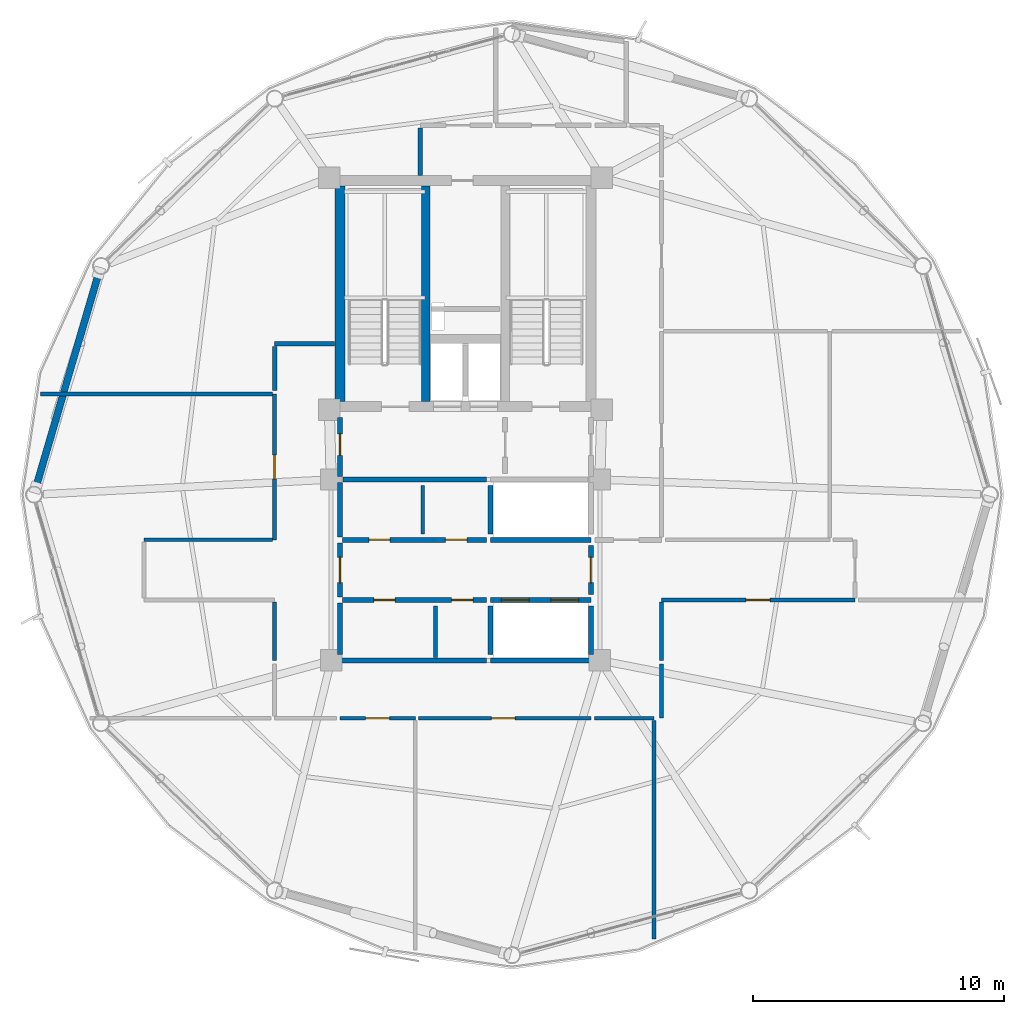
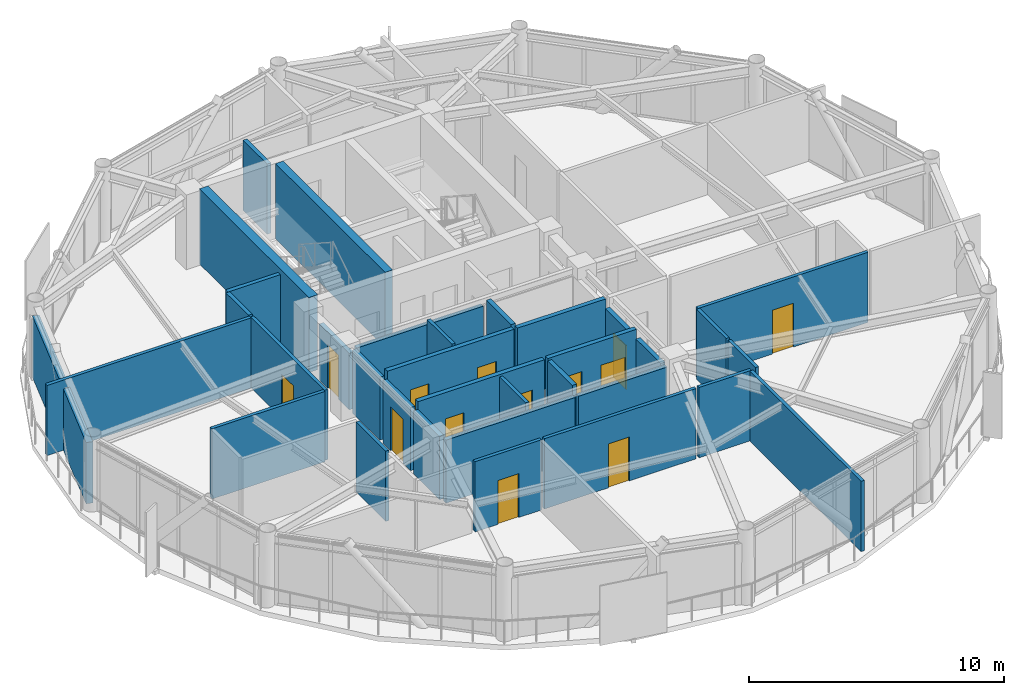
# One storey, part 21 of 26: 34 walls, 13 doors, 13 openings.
"""IFC4 building model written with IfcOpenShell, lengths in metres."""

from ifc_helpers import new_model, si_unit, direction, frame, frame_2d, origin, place, context, subcontext, project, spatial, rectangle, extrude, material, layer, layer_set, type_object, element, fill, save


model = new_model("IFC4")

# Units and contexts
model_context = context("Model", 3, precision=1e-05, world=origin(), true_north=direction((0.0, 1.0)))
body_context = subcontext(model_context, "Body", "Model", "MODEL_VIEW")
ifc_project = project(units=[si_unit("LENGTHUNIT", "METRE"), si_unit("AREAUNIT", "SQUARE_METRE"), si_unit("VOLUMEUNIT", "CUBIC_METRE"), si_unit("PLANEANGLEUNIT", "RADIAN"), si_unit("MASSUNIT", "GRAM", prefix="KILO")], contexts=[model_context])

# Site, building, storey
site_placement = place(None, origin())
site = spatial("IfcSite", under=ifc_project, at=site_placement, CompositionType="ELEMENT")
building_placement = place(site_placement, origin())
building = spatial("IfcBuilding", under=site, at=building_placement, Name="Varnakorn Sky Granary", CompositionType="ELEMENT")
storey_placement = place(building_placement, frame((0.0, 0.0, 218.39990234375)))
storey = spatial("IfcBuildingStorey", under=building, at=storey_placement, Name="L55", CompositionType="ELEMENT", Elevation=218.39990234375)

# Walls
ifc_material_1 = material(Name="Concrete C50/60", Category="concrete")
ifc_layer_1 = layer(ifc_material_1, 0.35009765625, Name="Concrete C50/60")
ifc_layer_set_1 = layer_set([ifc_layer_1], Name="Concrete C50/60")
wall_type_1 = type_object("IfcWallType", Name="WT-CW-INT-350", PredefinedType="SHEAR", material=ifc_layer_set_1)
wall_1_placement = place(storey_placement, frame((1.419921875, 3.7099609375, 0.0), z_axis=(0.0, 0.0, 1.0), x_axis=(0.0, 1.0, 0.0)))
element("IfcWall", 1, at=wall_1_placement, inside=storey, type_object=wall_type_1, Name="Stair ST-1 Core Wall L55", PredefinedType="SHEAR", context=body_context, shape_type="SweptSolid", body=[
    extrude(rectangle(XDim=8.580078125, YDim=0.35009765625, at=frame_2d((4.2900390625, 0.0))), origin(), (0.0, 0.0, 1.0), 3.592041015625),
])
ifc_layer_2 = layer(ifc_material_1, 0.39990234375, Name="Concrete C50/60")
ifc_layer_set_2 = layer_set([ifc_layer_2], Name="Concrete C50/60")
wall_type_2 = type_object("IfcWallType", Name="WT-CW-SHEAR-400", PredefinedType="SHEAR", material=ifc_layer_set_2)
wall_2_placement = place(storey_placement, frame((-2.0, 3.7099609375, 0.0), z_axis=(0.0, 0.0, 1.0), x_axis=(0.0, 1.0, 0.0)))
element("IfcWall", 2, at=wall_2_placement, inside=storey, type_object=wall_type_2, Name="Core West Shear Wall L55", PredefinedType="SHEAR", context=body_context, shape_type="SweptSolid", body=[
    extrude(rectangle(XDim=8.580078125, YDim=0.39990234375, at=frame_2d((4.2900390625, 0.0))), origin(), (0.0, 0.0, 1.0), 3.592041015625),
])
ifc_material_2 = material(Name="Precast concrete C40/50", Category="concrete")
ifc_layer_3 = layer(ifc_material_2, 0.280029296875, Name="Precast concrete C40/50")
ifc_layer_set_3 = layer_set([ifc_layer_3], Name="Precast concrete C40/50")
wall_type_3 = type_object("IfcWallType", Name="WT-EW-CRN-280", PredefinedType="SOLIDWALL", material=ifc_layer_set_3)
wall_3_placement = place(storey_placement, frame((-14.10693359375, 0.2734375, 0.0), z_axis=(0.0, 0.0, 1.0), x_axis=(0.281173062834, 0.95965707872, 0.0)))
element("IfcWall", 3, at=wall_3_placement, inside=storey, type_object=wall_type_3, Name="Agritech Insulated Precast Facade Wall L55-P06", PredefinedType="SOLIDWALL", context=body_context, shape_type="SweptSolid", body=[
    extrude(rectangle(XDim=8.91748046875, YDim=0.280029296875, at=frame_2d((4.458740234375, 0.0))), origin(), (0.0, 0.0, 1.0), 2.93017578125),
])

# Wall, opening, door
ifc_material_3 = material(Name="Autoclaved Aerated Concrete Blockwork", Category="masonry")
ifc_layer_4 = layer(ifc_material_3, 0.199951171875, Name="Autoclaved Aerated Concrete Blockwork")
ifc_layer_set_4 = layer_set([ifc_layer_4], Name="Autoclaved Aerated Concrete Blockwork")
wall_type_4 = type_object("IfcWallType", Name="WT-FIRE-200", PredefinedType="MOVABLE", material=ifc_layer_set_4)
wall_4_placement = place(storey_placement, frame((-2.0, 0.719970703125, 0.0), z_axis=(0.0, 0.0, 1.0), x_axis=(0.0, 1.0, 0.0)))
wall_4 = element("IfcWall", 4, at=wall_4_placement, inside=storey, type_object=wall_type_4, Name="Interior Partition Wall L55-012", PredefinedType="MOVABLE", context=body_context, shape_type="SweptSolid", body=[
    extrude(rectangle(XDim=2.35009765625, YDim=0.199951171875, at=frame_2d((1.175048828125, 0.0))), origin(), (0.0, 0.0, 1.0), 2.692138671875),
])
opening_1_placement = place(wall_4_placement, frame((0.844970703125, 0.0, 0.0)))
opening_1 = element("IfcOpeningElement", 5, at=opening_1_placement, cuts=wall_4, Name="Opening FD-60N", PredefinedType="OPENING", context=body_context, shape_type="SweptSolid", body=[
    extrude(rectangle(XDim=0.85009765625, YDim=2.10009765625, at=frame_2d((0.425048828125, 1.050048828125))), frame((0.0, 0.10986328125, 0.0), z_axis=(0.0, -1.0, 0.0), x_axis=(1.0, 0.0, 0.0)), (0.0, 0.0, 1.0), 0.219970703125),
])
ifc_material_4 = material(Name="Acoustic Timber Fire Leaf", Category="wood")
door_type_1 = type_object("IfcDoorType", Name="DR-FD60-850", OperationType="NOTDEFINED", PredefinedType="DOOR", material=ifc_material_4)
door_1_placement = place(opening_1_placement, origin())
door_1 = element("IfcDoor", 6, at=door_1_placement, inside=storey, type_object=door_type_1, Name="Interior Door L55-012-1", OperationType="SINGLE_SWING_LEFT", OverallHeight=2.10009765625, OverallWidth=0.85009765625, PredefinedType="DOOR", context=body_context, shape_type="SweptSolid", body=[
    extrude(rectangle(XDim=0.85009765625, YDim=2.10009765625, at=frame_2d((0.425048828125, 1.050048828125))), frame((0.0, 0.02490234375, 0.0), z_axis=(0.0, -1.0, 0.0), x_axis=(1.0, 0.0, 0.0)), (0.0, 0.0, 1.0), 0.050048828125),
])
fill(opening_1, door_1)

wall_5_placement = place(storey_placement, frame((-2.0, -4.080078125, 0.0), z_axis=(0.0, 0.0, 1.0), x_axis=(0.0, 1.0, 0.0)))
wall_5 = element("IfcWall", 7, at=wall_5_placement, inside=storey, type_object=wall_type_4, Name="Interior Partition Wall L55-014", PredefinedType="MOVABLE", context=body_context, shape_type="SweptSolid", body=[
    extrude(rectangle(XDim=2.16015625, YDim=0.199951171875, at=frame_2d((1.080078125, 0.0))), origin(), (0.0, 0.0, 1.0), 3.01220703125),
])
opening_2_placement = place(wall_5_placement, frame((0.580078125, 0.0, 0.0)))
opening_2 = element("IfcOpeningElement", 8, at=opening_2_placement, cuts=wall_5, Name="Opening FD-60", PredefinedType="OPENING", context=body_context, shape_type="SweptSolid", body=[
    extrude(rectangle(XDim=1.0, YDim=2.10009765625, at=frame_2d((0.5, 1.050048828125))), frame((0.0, 0.10986328125, 0.0), z_axis=(0.0, -1.0, 0.0), x_axis=(1.0, 0.0, 0.0)), (0.0, 0.0, 1.0), 0.219970703125),
])
door_type_2 = type_object("IfcDoorType", Name="DR-FD60-1000", OperationType="NOTDEFINED", PredefinedType="DOOR", material=ifc_material_4)
door_2_placement = place(opening_2_placement, origin())
door_2 = element("IfcDoor", 9, at=door_2_placement, inside=storey, type_object=door_type_2, Name="Interior Door L55-014-1", OperationType="SINGLE_SWING_LEFT", OverallHeight=2.10009765625, OverallWidth=1.0, PredefinedType="DOOR", context=body_context, shape_type="SweptSolid", body=[
    extrude(rectangle(XDim=1.0, YDim=2.10009765625, at=frame_2d((0.5, 1.050048828125))), frame((0.0, 0.02490234375, 0.0), z_axis=(0.0, -1.0, 0.0), x_axis=(1.0, 0.0, 0.0)), (0.0, 0.0, 1.0), 0.050048828125),
])
fill(opening_2, door_2)

wall_6_placement = place(storey_placement, frame((8.0, -3.969970703125, 0.0), z_axis=(0.0, 0.0, 1.0), x_axis=(0.0, 1.0, 0.0)))
wall_6 = element("IfcWall", 10, at=wall_6_placement, inside=storey, type_object=wall_type_4, Name="Interior Partition Wall L55-015", PredefinedType="MOVABLE", context=body_context, shape_type="SweptSolid", body=[
    extrude(rectangle(XDim=1.93994140625, YDim=0.199951171875, at=frame_2d((0.969970703125, 0.0))), origin(), (0.0, 0.0, 1.0), 3.01220703125),
])
opening_3_placement = place(wall_6_placement, frame((0.469970703125, 0.0, 0.0)))
opening_3 = element("IfcOpeningElement", 11, at=opening_3_placement, cuts=wall_6, Name="Opening FD-60", PredefinedType="OPENING", context=body_context, shape_type="SweptSolid", body=[
    extrude(rectangle(XDim=1.0, YDim=2.10009765625, at=frame_2d((0.5, 1.050048828125))), frame((0.0, 0.10986328125, 0.0), z_axis=(0.0, -1.0, 0.0), x_axis=(1.0, 0.0, 0.0)), (0.0, 0.0, 1.0), 0.219970703125),
])
door_3_placement = place(opening_3_placement, origin())
door_3 = element("IfcDoor", 12, at=door_3_placement, inside=storey, type_object=door_type_2, Name="Interior Door L55-015-1", OperationType="SINGLE_SWING_RIGHT", OverallHeight=2.10009765625, OverallWidth=1.0, PredefinedType="DOOR", context=body_context, shape_type="SweptSolid", body=[
    extrude(rectangle(XDim=1.0, YDim=2.10009765625, at=frame_2d((0.5, 1.050048828125))), frame((0.0, 0.02490234375, 0.0), z_axis=(0.0, -1.0, 0.0), x_axis=(1.0, 0.0, 0.0)), (0.0, 0.0, 1.0), 0.050048828125),
])
fill(opening_3, door_3)

# Wall, openings, doors
wall_7_placement = place(storey_placement, frame((-1.889892578125, -1.800048828125, 0.0), z_axis=(0.0, 0.0, 1.0), x_axis=(1.0, 0.0, 0.0)))
wall_7 = element("IfcWall", 13, at=wall_7_placement, inside=storey, type_object=wall_type_4, Name="Interior Partition Wall L55-016", PredefinedType="MOVABLE", context=body_context, shape_type="SweptSolid", body=[
    extrude(rectangle(XDim=5.72998046875, YDim=0.199951171875, at=frame_2d((2.864990234375, 0.0))), origin(), (0.0, 0.0, 1.0), 3.360107421875),
])
opening_4_placement = place(wall_7_placement, frame((1.0400390625, 0.0, 0.0)))
opening_4 = element("IfcOpeningElement", 14, at=opening_4_placement, cuts=wall_7, Name="Opening FD-60N", PredefinedType="OPENING", context=body_context, shape_type="SweptSolid", body=[
    extrude(rectangle(XDim=0.85009765625, YDim=2.10009765625, at=frame_2d((0.425048828125, 1.050048828125))), frame((0.0, 0.10986328125, 0.0), z_axis=(0.0, -1.0, 0.0), x_axis=(1.0, 0.0, 0.0)), (0.0, 0.0, 1.0), 0.219970703125),
])
opening_5_placement = place(wall_7_placement, frame((4.090087890625, 0.0, 0.0)))
opening_5 = element("IfcOpeningElement", 15, at=opening_5_placement, cuts=wall_7, Name="Opening FD-60N", PredefinedType="OPENING", context=body_context, shape_type="SweptSolid", body=[
    extrude(rectangle(XDim=0.85009765625, YDim=2.10009765625, at=frame_2d((0.425048828125, 1.050048828125))), frame((0.0, 0.10986328125, 0.0), z_axis=(0.0, -1.0, 0.0), x_axis=(1.0, 0.0, 0.0)), (0.0, 0.0, 1.0), 0.219970703125),
])
door_4_placement = place(opening_4_placement, origin())
door_4 = element("IfcDoor", 16, at=door_4_placement, inside=storey, type_object=door_type_1, Name="Interior Door L55-016-1", OperationType="SINGLE_SWING_LEFT", OverallHeight=2.10009765625, OverallWidth=0.85009765625, PredefinedType="DOOR", context=body_context, shape_type="SweptSolid", body=[
    extrude(rectangle(XDim=0.85009765625, YDim=2.10009765625, at=frame_2d((0.425048828125, 1.050048828125))), frame((0.0, 0.02490234375, 0.0), z_axis=(0.0, -1.0, 0.0), x_axis=(1.0, 0.0, 0.0)), (0.0, 0.0, 1.0), 0.050048828125),
])
fill(opening_4, door_4)
door_5_placement = place(opening_5_placement, origin())
door_5 = element("IfcDoor", 17, at=door_5_placement, inside=storey, type_object=door_type_1, Name="Interior Door L55-016-2", OperationType="SINGLE_SWING_RIGHT", OverallHeight=2.10009765625, OverallWidth=0.85009765625, PredefinedType="DOOR", context=body_context, shape_type="SweptSolid", body=[
    extrude(rectangle(XDim=0.85009765625, YDim=2.10009765625, at=frame_2d((0.425048828125, 1.050048828125))), frame((0.0, 0.02490234375, 0.0), z_axis=(0.0, -1.0, 0.0), x_axis=(1.0, 0.0, 0.0)), (0.0, 0.0, 1.0), 0.050048828125),
])
fill(opening_5, door_5)

wall_8_placement = place(storey_placement, frame((-1.889892578125, -4.199951171875, 0.0), z_axis=(0.0, 0.0, 1.0), x_axis=(1.0, 0.0, 0.0)))
wall_8 = element("IfcWall", 18, at=wall_8_placement, inside=storey, type_object=wall_type_4, Name="Interior Partition Wall L55-017", PredefinedType="MOVABLE", context=body_context, shape_type="SweptSolid", body=[
    extrude(rectangle(XDim=5.72998046875, YDim=0.199951171875, at=frame_2d((2.864990234375, 0.0))), origin(), (0.0, 0.0, 1.0), 3.360107421875),
])
opening_6_placement = place(wall_8_placement, frame((1.239990234375, 0.0, 0.0)))
opening_6 = element("IfcOpeningElement", 19, at=opening_6_placement, cuts=wall_8, Name="Opening FD-60N", PredefinedType="OPENING", context=body_context, shape_type="SweptSolid", body=[
    extrude(rectangle(XDim=0.85009765625, YDim=2.10009765625, at=frame_2d((0.425048828125, 1.050048828125))), frame((0.0, 0.10986328125, 0.0), z_axis=(0.0, -1.0, 0.0), x_axis=(1.0, 0.0, 0.0)), (0.0, 0.0, 1.0), 0.219970703125),
])
opening_7_placement = place(wall_8_placement, frame((4.340087890625, 0.0, 0.0)))
opening_7 = element("IfcOpeningElement", 20, at=opening_7_placement, cuts=wall_8, Name="Opening FD-60N", PredefinedType="OPENING", context=body_context, shape_type="SweptSolid", body=[
    extrude(rectangle(XDim=0.85009765625, YDim=2.10009765625, at=frame_2d((0.425048828125, 1.050048828125))), frame((0.0, 0.10986328125, 0.0), z_axis=(0.0, -1.0, 0.0), x_axis=(1.0, 0.0, 0.0)), (0.0, 0.0, 1.0), 0.219970703125),
])
door_6_placement = place(opening_6_placement, origin())
door_6 = element("IfcDoor", 21, at=door_6_placement, inside=storey, type_object=door_type_1, Name="Interior Door L55-017-1", OperationType="SINGLE_SWING_LEFT", OverallHeight=2.10009765625, OverallWidth=0.85009765625, PredefinedType="DOOR", context=body_context, shape_type="SweptSolid", body=[
    extrude(rectangle(XDim=0.85009765625, YDim=2.10009765625, at=frame_2d((0.425048828125, 1.050048828125))), frame((0.0, 0.02490234375, 0.0), z_axis=(0.0, -1.0, 0.0), x_axis=(1.0, 0.0, 0.0)), (0.0, 0.0, 1.0), 0.050048828125),
])
fill(opening_6, door_6)
door_7_placement = place(opening_7_placement, origin())
door_7 = element("IfcDoor", 22, at=door_7_placement, inside=storey, type_object=door_type_1, Name="Interior Door L55-017-2", OperationType="SINGLE_SWING_RIGHT", OverallHeight=2.10009765625, OverallWidth=0.85009765625, PredefinedType="DOOR", context=body_context, shape_type="SweptSolid", body=[
    extrude(rectangle(XDim=0.85009765625, YDim=2.10009765625, at=frame_2d((0.425048828125, 1.050048828125))), frame((0.0, 0.02490234375, 0.0), z_axis=(0.0, -1.0, 0.0), x_axis=(1.0, 0.0, 0.0)), (0.0, 0.0, 1.0), 0.050048828125),
])
fill(opening_7, door_7)

# Walls
wall_9_placement = place(storey_placement, frame((-1.8798828125, 0.60009765625, 0.0), z_axis=(0.0, 0.0, 1.0), x_axis=(1.0, 0.0, 0.0)))
element("IfcWall", 23, at=wall_9_placement, inside=storey, type_object=wall_type_4, Name="Interior Partition Wall L55-028", PredefinedType="MOVABLE", context=body_context, shape_type="SweptSolid", body=[
    extrude(rectangle(XDim=5.719970703125, YDim=0.199951171875, at=frame_2d((2.85986328125, 0.0))), origin(), (0.0, 0.0, 1.0), 3.01220703125),
])
wall_10_placement = place(storey_placement, frame((-2.0, -1.679931640625, 0.0), z_axis=(0.0, 0.0, 1.0), x_axis=(0.0, 1.0, 0.0)))
element("IfcWall", 24, at=wall_10_placement, inside=storey, type_object=wall_type_4, Name="Interior Partition Wall L55-030", PredefinedType="MOVABLE", context=body_context, shape_type="SweptSolid", body=[
    extrude(rectangle(XDim=2.159912109375, YDim=0.199951171875, at=frame_2d((1.080078125, 0.0))), origin(), (0.0, 0.0, 1.0), 3.01220703125),
])
wall_11_placement = place(storey_placement, frame((-2.0, -6.60009765625, 0.0), z_axis=(0.0, 0.0, 1.0), x_axis=(1.0, 0.0, 0.0)))
element("IfcWall", 25, at=wall_11_placement, inside=storey, type_object=wall_type_4, Name="Interior Partition Wall L55-032", PredefinedType="MOVABLE", context=body_context, shape_type="SweptSolid", body=[
    extrude(rectangle(XDim=5.840087890625, YDim=0.199951171875, at=frame_2d((2.919921875, 0.0))), origin(), (0.0, 0.0, 1.0), 3.01220703125),
])
wall_12_placement = place(storey_placement, frame((-2.0, -6.3701171875, 0.0), z_axis=(0.0, 0.0, 1.0), x_axis=(0.0, 1.0, 0.0)))
element("IfcWall", 26, at=wall_12_placement, inside=storey, type_object=wall_type_4, Name="Interior Partition Wall L55-033", PredefinedType="MOVABLE", context=body_context, shape_type="SweptSolid", body=[
    extrude(rectangle(XDim=2.050048828125, YDim=0.199951171875, at=frame_2d((1.02490234375, 0.0))), origin(), (0.0, 0.0, 1.0), 3.01220703125),
])

# Wall, opening, door
ifc_material_5 = material(Name="Gypsum Plasterboard on Steel Stud", Category="steel")
ifc_layer_5 = layer(ifc_material_5, 0.14990234375, Name="Gypsum Plasterboard on Steel Stud")
ifc_layer_set_5 = layer_set([ifc_layer_5], Name="Gypsum Plasterboard on Steel Stud")
wall_type_5 = type_object("IfcWallType", Name="WT-PART-150", PredefinedType="PARTITIONING", material=ifc_layer_set_5)
wall_13_placement = place(storey_placement, frame((-2.0, -8.89990234375, 0.0), z_axis=(0.0, 0.0, 1.0), x_axis=(1.0, 0.0, 0.0)))
wall_13 = element("IfcWall", 27, at=wall_13_placement, inside=storey, type_object=wall_type_5, Name="Interior Partition Wall L55-020", PredefinedType="PARTITIONING", context=body_context, shape_type="SweptSolid", body=[
    extrude(rectangle(XDim=3.0, YDim=0.14990234375, at=frame_2d((1.5, 0.0))), origin(), (0.0, 0.0, 1.0), 3.360107421875),
])
opening_8_placement = place(wall_13_placement, frame((1.02490234375, 0.0, 0.0)))
opening_8 = element("IfcOpeningElement", 28, at=opening_8_placement, cuts=wall_13, Name="Opening ID-95", PredefinedType="OPENING", context=body_context, shape_type="SweptSolid", body=[
    extrude(rectangle(XDim=0.949951171875, YDim=2.10009765625, at=frame_2d((0.47509765625, 1.050048828125))), frame((0.0, 0.0849609375, 0.0), z_axis=(0.0, -1.0, 0.0), x_axis=(1.0, 0.0, 0.0)), (0.0, 0.0, 1.0), 0.169921875),
])
ifc_material_6 = material(Name="Solid-Core Teak Veneer Leaf", Category="timber")
door_type_3 = type_object("IfcDoorType", Name="DR-INT-950", OperationType="NOTDEFINED", PredefinedType="DOOR", material=ifc_material_6)
door_8_placement = place(opening_8_placement, origin())
door_8 = element("IfcDoor", 29, at=door_8_placement, inside=storey, type_object=door_type_3, Name="Interior Door L55-020-1", OperationType="SINGLE_SWING_LEFT", OverallHeight=2.10009765625, OverallWidth=0.949951171875, PredefinedType="DOOR", context=body_context, shape_type="SweptSolid", body=[
    extrude(rectangle(XDim=0.949951171875, YDim=2.10009765625, at=frame_2d((0.47509765625, 1.050048828125))), frame((0.0, 0.02490234375, 0.0), z_axis=(0.0, -1.0, 0.0), x_axis=(1.0, 0.0, 0.0)), (0.0, 0.0, 1.0), 0.050048828125),
])
fill(opening_8, door_8)

wall_14_placement = place(storey_placement, frame((1.135009765625, -8.89990234375, 0.0), z_axis=(0.0, 0.0, 1.0), x_axis=(1.0, 0.0, 0.0)))
wall_14 = element("IfcWall", 30, at=wall_14_placement, inside=storey, type_object=wall_type_5, Name="Interior Partition Wall L55-021", PredefinedType="PARTITIONING", context=body_context, shape_type="SweptSolid", body=[
    extrude(rectangle(XDim=6.864990234375, YDim=0.14990234375, at=frame_2d((3.4326171875, 0.0))), origin(), (0.0, 0.0, 1.0), 3.360107421875),
])
opening_9_placement = place(wall_14_placement, frame((2.889892578125, 0.0, 0.0)))
opening_9 = element("IfcOpeningElement", 31, at=opening_9_placement, cuts=wall_14, Name="Opening ID-95", PredefinedType="OPENING", context=body_context, shape_type="SweptSolid", body=[
    extrude(rectangle(XDim=0.949951171875, YDim=2.10009765625, at=frame_2d((0.47509765625, 1.050048828125))), frame((0.0, 0.0849609375, 0.0), z_axis=(0.0, -1.0, 0.0), x_axis=(1.0, 0.0, 0.0)), (0.0, 0.0, 1.0), 0.169921875),
])
door_9_placement = place(opening_9_placement, origin())
door_9 = element("IfcDoor", 32, at=door_9_placement, inside=storey, type_object=door_type_3, Name="Interior Door L55-021-1", OperationType="SINGLE_SWING_RIGHT", OverallHeight=2.10009765625, OverallWidth=0.949951171875, PredefinedType="DOOR", context=body_context, shape_type="SweptSolid", body=[
    extrude(rectangle(XDim=0.949951171875, YDim=2.10009765625, at=frame_2d((0.47509765625, 1.050048828125))), frame((0.0, 0.02490234375, 0.0), z_axis=(0.0, -1.0, 0.0), x_axis=(1.0, 0.0, 0.0)), (0.0, 0.0, 1.0), 0.050048828125),
])
fill(opening_9, door_9)

wall_15_placement = place(storey_placement, frame((10.800048828125, -4.199951171875, 0.0), z_axis=(0.0, 0.0, 1.0), x_axis=(1.0, 0.0, 0.0)))
wall_15 = element("IfcWall", 33, at=wall_15_placement, inside=storey, type_object=wall_type_5, Name="Interior Partition Wall L55-022", PredefinedType="PARTITIONING", context=body_context, shape_type="SweptSolid", body=[
    extrude(rectangle(XDim=7.699951171875, YDim=0.14990234375, at=frame_2d((3.85009765625, 0.0))), origin(), (0.0, 0.0, 1.0), 3.360107421875),
])
opening_10_placement = place(wall_15_placement, frame((3.375, 0.0, 0.0)))
opening_10 = element("IfcOpeningElement", 34, at=opening_10_placement, cuts=wall_15, Name="Opening ID-95", PredefinedType="OPENING", context=body_context, shape_type="SweptSolid", body=[
    extrude(rectangle(XDim=0.949951171875, YDim=2.10009765625, at=frame_2d((0.47509765625, 1.050048828125))), frame((0.0, 0.0849609375, 0.0), z_axis=(0.0, -1.0, 0.0), x_axis=(1.0, 0.0, 0.0)), (0.0, 0.0, 1.0), 0.169921875),
])
door_10_placement = place(opening_10_placement, origin())
door_10 = element("IfcDoor", 35, at=door_10_placement, inside=storey, type_object=door_type_3, Name="Interior Door L55-022-1", OperationType="SINGLE_SWING_LEFT", OverallHeight=2.10009765625, OverallWidth=0.949951171875, PredefinedType="DOOR", context=body_context, shape_type="SweptSolid", body=[
    extrude(rectangle(XDim=0.949951171875, YDim=2.10009765625, at=frame_2d((0.47509765625, 1.050048828125))), frame((0.0, 0.02490234375, 0.0), z_axis=(0.0, -1.0, 0.0), x_axis=(1.0, 0.0, 0.0)), (0.0, 0.0, 1.0), 0.050048828125),
])
fill(opening_10, door_10)

wall_16_placement = place(storey_placement, frame((-4.60009765625, 4.0, 0.0), z_axis=(0.0, 0.0, 1.0), x_axis=(0.0, -1.0, 0.0)))
wall_16 = element("IfcWall", 36, at=wall_16_placement, inside=storey, type_object=wall_type_5, Name="Interior Partition Wall L55-023", PredefinedType="PARTITIONING", context=body_context, shape_type="SweptSolid", body=[
    extrude(rectangle(XDim=5.800048828125, YDim=0.14990234375, at=frame_2d((2.89990234375, 0.0))), origin(), (0.0, 0.0, 1.0), 3.360107421875),
])
opening_11_placement = place(wall_16_placement, frame((2.425048828125, 0.0, 0.0)))
opening_11 = element("IfcOpeningElement", 37, at=opening_11_placement, cuts=wall_16, Name="Opening ID-95", PredefinedType="OPENING", context=body_context, shape_type="SweptSolid", body=[
    extrude(rectangle(XDim=0.949951171875, YDim=2.10009765625, at=frame_2d((0.47509765625, 1.050048828125))), frame((0.0, 0.0849609375, 0.0), z_axis=(0.0, -1.0, 0.0), x_axis=(1.0, 0.0, 0.0)), (0.0, 0.0, 1.0), 0.169921875),
])
door_11_placement = place(opening_11_placement, origin())
door_11 = element("IfcDoor", 38, at=door_11_placement, inside=storey, type_object=door_type_3, Name="Interior Door L55-023-1", OperationType="SINGLE_SWING_RIGHT", OverallHeight=2.10009765625, OverallWidth=0.949951171875, PredefinedType="DOOR", context=body_context, shape_type="SweptSolid", body=[
    extrude(rectangle(XDim=0.949951171875, YDim=2.10009765625, at=frame_2d((0.47509765625, 1.050048828125))), frame((0.0, 0.02490234375, 0.0), z_axis=(0.0, -1.0, 0.0), x_axis=(1.0, 0.0, 0.0)), (0.0, 0.0, 1.0), 0.050048828125),
])
fill(opening_11, door_11)

# Walls
wall_17_placement = place(storey_placement, frame((1.300048828125, -1.570068359375, 0.0), z_axis=(0.0, 0.0, 1.0), x_axis=(0.0, 1.0, 0.0)))
element("IfcWall", 39, at=wall_17_placement, inside=storey, type_object=wall_type_5, Name="Interior Partition Wall L55-029", PredefinedType="PARTITIONING", context=body_context, shape_type="SweptSolid", body=[
    extrude(rectangle(XDim=1.940185546875, YDim=0.14990234375, at=frame_2d((0.97021484375, 0.0))), origin(), (0.0, 0.0, 1.0), 3.360107421875),
])
wall_18_placement = place(storey_placement, frame((1.800048828125, -6.47998046875, 0.0), z_axis=(0.0, 0.0, 1.0), x_axis=(0.0, 1.0, 0.0)))
element("IfcWall", 40, at=wall_18_placement, inside=storey, type_object=wall_type_5, Name="Interior Partition Wall L55-031", PredefinedType="PARTITIONING", context=body_context, shape_type="SweptSolid", body=[
    extrude(rectangle(XDim=2.050048828125, YDim=0.14990234375, at=frame_2d((1.02490234375, 0.0))), origin(), (0.0, 0.0, 1.0), 3.360107421875),
])
wall_19_placement = place(storey_placement, frame((8.135009765625, -8.89990234375, 0.0), z_axis=(0.0, 0.0, 1.0), x_axis=(1.0, 0.0, 0.0)))
element("IfcWall", 41, at=wall_19_placement, inside=storey, type_object=wall_type_5, Name="Interior Partition Wall L55-038", PredefinedType="PARTITIONING", context=body_context, shape_type="SweptSolid", body=[
    extrude(rectangle(XDim=2.364990234375, YDim=0.14990234375, at=frame_2d((1.1826171875, 0.0))), origin(), (0.0, 0.0, 1.0), 3.360107421875),
])
wall_20_placement = place(storey_placement, frame((10.5, -8.985107421875, 0.0), z_axis=(0.0, 0.0, 1.0), x_axis=(0.0, -1.0, 0.0)))
element("IfcWall", 42, at=wall_20_placement, inside=storey, type_object=wall_type_5, Name="Interior Partition Wall L55-039", PredefinedType="PARTITIONING", context=body_context, shape_type="SweptSolid", body=[
    extrude(rectangle(XDim=8.71484375, YDim=0.14990234375, at=frame_2d((4.357421875, 0.0))), origin(), (0.0, 0.0, 1.0), 3.360107421875),
])
wall_21_placement = place(storey_placement, frame((10.800048828125, -6.60009765625, 0.0), z_axis=(0.0, 0.0, 1.0), x_axis=(0.0, 1.0, 0.0)))
element("IfcWall", 43, at=wall_21_placement, inside=storey, type_object=wall_type_5, Name="Interior Partition Wall L55-040", PredefinedType="PARTITIONING", context=body_context, shape_type="SweptSolid", body=[
    extrude(rectangle(XDim=2.315185546875, YDim=0.14990234375, at=frame_2d((1.15771484375, 0.0))), origin(), (0.0, 0.0, 1.0), 3.360107421875),
])
wall_22_placement = place(storey_placement, frame((10.800048828125, -8.89990234375, 0.0), z_axis=(0.0, 0.0, 1.0), x_axis=(0.0, 1.0, 0.0)))
element("IfcWall", 44, at=wall_22_placement, inside=storey, type_object=wall_type_5, Name="Interior Partition Wall L55-041", PredefinedType="PARTITIONING", context=body_context, shape_type="SweptSolid", body=[
    extrude(rectangle(XDim=2.164794921875, YDim=0.14990234375, at=frame_2d((1.08251953125, 0.0))), origin(), (0.0, 0.0, 1.0), 3.360107421875),
])
wall_23_placement = place(storey_placement, frame((-4.68505859375, -1.800048828125, 0.0), z_axis=(0.0, 0.0, 1.0), x_axis=(-1.0, 0.0, 0.0)))
element("IfcWall", 45, at=wall_23_placement, inside=storey, type_object=wall_type_5, Name="Interior Partition Wall L55-043", PredefinedType="PARTITIONING", context=body_context, shape_type="SweptSolid", body=[
    extrude(rectangle(XDim=5.114990234375, YDim=0.14990234375, at=frame_2d((2.5576171875, 0.0))), origin(), (0.0, 0.0, 1.0), 3.360107421875),
])
wall_24_placement = place(storey_placement, frame((-4.60009765625, -4.284912109375, 0.0), z_axis=(0.0, 0.0, 1.0), x_axis=(0.0, -1.0, 0.0)))
element("IfcWall", 46, at=wall_24_placement, inside=storey, type_object=wall_type_5, Name="Interior Partition Wall L55-046", PredefinedType="PARTITIONING", context=body_context, shape_type="SweptSolid", body=[
    extrude(rectangle(XDim=2.315185546875, YDim=0.14990234375, at=frame_2d((1.15771484375, 0.0))), origin(), (0.0, 0.0, 1.0), 3.360107421875),
])
wall_25_placement = place(storey_placement, frame((-13.9130859375, 4.0, 0.0), z_axis=(0.0, 0.0, 1.0), x_axis=(1.0, 0.0, 0.0)))
element("IfcWall", 47, at=wall_25_placement, inside=storey, type_object=wall_type_5, Name="Interior Partition Wall L55-048", PredefinedType="PARTITIONING", context=body_context, shape_type="SweptSolid", body=[
    extrude(rectangle(XDim=9.22802734375, YDim=0.14990234375, at=frame_2d((4.614013671875, 0.0))), origin(), (0.0, 0.0, 1.0), 3.360107421875),
])
ifc_material_7 = material(Name="Moisture-Resistant Gypsum on Stud", Category="gypsum")
ifc_layer_6 = layer(ifc_material_7, 0.179931640625, Name="Moisture-Resistant Gypsum on Stud")
ifc_layer_set_6 = layer_set([ifc_layer_6], Name="Moisture-Resistant Gypsum on Stud")
wall_type_6 = type_object("IfcWallType", Name="WT-PLUMB-180", PredefinedType="PLUMBINGWALL", material=ifc_layer_set_6)
wall_26_placement = place(storey_placement, frame((1.199951171875, 14.60009765625, 0.0), z_axis=(0.0, 0.0, 1.0), x_axis=(0.0, -1.0, 0.0)))
element("IfcWall", 48, at=wall_26_placement, inside=storey, type_object=wall_type_6, Name="Interior Partition Wall L55-049", PredefinedType="PLUMBINGWALL", context=body_context, shape_type="SweptSolid", body=[
    extrude(rectangle(XDim=1.89013671875, YDim=0.179931640625, at=frame_2d((0.945068359375, 0.0))), origin(), (0.0, 0.0, 1.0), 3.360107421875),
])
wall_27_placement = place(storey_placement, frame((-2.2099609375, 6.0, 0.0), z_axis=(0.0, 0.0, 1.0), x_axis=(-1.0, 0.0, 0.0)))
element("IfcWall", 49, at=wall_27_placement, inside=storey, type_object=wall_type_6, Name="Interior Partition Wall L55-050", PredefinedType="PLUMBINGWALL", context=body_context, shape_type="SweptSolid", body=[
    extrude(rectangle(XDim=2.39013671875, YDim=0.179931640625, at=frame_2d((1.195068359375, 0.0))), origin(), (0.0, 0.0, 1.0), 3.360107421875),
])
wall_28_placement = place(storey_placement, frame((-4.60009765625, 5.89990234375, 0.0), z_axis=(0.0, 0.0, 1.0), x_axis=(0.0, -1.0, 0.0)))
element("IfcWall", 50, at=wall_28_placement, inside=storey, type_object=wall_type_6, Name="Interior Partition Wall L55-051", PredefinedType="PLUMBINGWALL", context=body_context, shape_type="SweptSolid", body=[
    extrude(rectangle(XDim=1.764892578125, YDim=0.179931640625, at=frame_2d((0.88232421875, 0.0))), origin(), (0.0, 0.0, 1.0), 3.360107421875),
])
ifc_layer_7 = layer(ifc_material_3, 0.199951171875, Name="Autoclaved Aerated Concrete Blockwork")
ifc_layer_set_7 = layer_set([ifc_layer_7], Name="Autoclaved Aerated Concrete Blockwork")
wall_type_7 = type_object("IfcWallType", Name="WT-SHAFT-200", PredefinedType="SOLIDWALL", material=ifc_layer_set_7)
wall_29_placement = place(storey_placement, frame((4.0, -1.800048828125, 0.0), z_axis=(0.0, 0.0, 1.0), x_axis=(1.0, 0.0, 0.0)))
element("IfcWall", 51, at=wall_29_placement, inside=storey, type_object=wall_type_7, Name="Interior Partition Wall L55-004", PredefinedType="SOLIDWALL", context=body_context, shape_type="SweptSolid", body=[
    extrude(rectangle(XDim=4.0, YDim=0.199951171875, at=frame_2d((2.0, 0.0))), origin(), (0.0, 0.0, 1.0), 3.360107421875),
])
wall_30_placement = place(storey_placement, frame((4.0, -1.570068359375, 0.0), z_axis=(0.0, 0.0, 1.0), x_axis=(0.0, 1.0, 0.0)))
element("IfcWall", 52, at=wall_30_placement, inside=storey, type_object=wall_type_7, Name="Interior Partition Wall L55-005", PredefinedType="SOLIDWALL", context=body_context, shape_type="SweptSolid", body=[
    extrude(rectangle(XDim=1.940185546875, YDim=0.199951171875, at=frame_2d((0.97021484375, 0.0))), origin(), (0.0, 0.0, 1.0), 3.360107421875),
])

# Wall, openings, doors
wall_31_placement = place(storey_placement, frame((4.0, -4.199951171875, 0.0), z_axis=(0.0, 0.0, 1.0), x_axis=(1.0, 0.0, 0.0)))
wall_31 = element("IfcWall", 53, at=wall_31_placement, inside=storey, type_object=wall_type_7, Name="Interior Partition Wall L55-007", PredefinedType="SOLIDWALL", context=body_context, shape_type="SweptSolid", body=[
    extrude(rectangle(XDim=4.0, YDim=0.199951171875, at=frame_2d((2.0, 0.0))), origin(), (0.0, 0.0, 1.0), 3.360107421875),
])
opening_12_placement = place(wall_31_placement, frame((0.429931640625, 0.0, 0.0)))
opening_12 = element("IfcOpeningElement", 54, at=opening_12_placement, cuts=wall_31, Name="Opening LD-01", PredefinedType="OPENING", context=body_context, shape_type="SweptSolid", body=[
    extrude(rectangle(XDim=1.10009765625, YDim=2.199951171875, at=frame_2d((0.550048828125, 1.10009765625))), frame((0.0, 0.10986328125, 0.0), z_axis=(0.0, -1.0, 0.0), x_axis=(1.0, 0.0, 0.0)), (0.0, 0.0, 1.0), 0.219970703125),
])
opening_13_placement = place(wall_31_placement, frame((2.39990234375, 0.0, 0.0)))
opening_13 = element("IfcOpeningElement", 55, at=opening_13_placement, cuts=wall_31, Name="Opening LD-01", PredefinedType="OPENING", context=body_context, shape_type="SweptSolid", body=[
    extrude(rectangle(XDim=1.10009765625, YDim=2.199951171875, at=frame_2d((0.550048828125, 1.10009765625))), frame((0.0, 0.10986328125, 0.0), z_axis=(0.0, -1.0, 0.0), x_axis=(1.0, 0.0, 0.0)), (0.0, 0.0, 1.0), 0.219970703125),
])
ifc_material_8 = material(Name="Brushed Bronze Stainless Steel", Category="steel")
door_type_4 = type_object("IfcDoorType", Name="DR-LD-1100", OperationType="DOUBLE_DOOR_SLIDING", PredefinedType="DOOR", material=ifc_material_8)
door_12_placement = place(opening_12_placement, origin())
door_12 = element("IfcDoor", 56, at=door_12_placement, inside=storey, type_object=door_type_4, Name="Passenger Lift PL-H1 Sliding Landing Door L55", OperationType="DOUBLE_DOOR_SLIDING", OverallHeight=2.199951171875, OverallWidth=1.10009765625, PredefinedType="DOOR", context=body_context, shape_type="SweptSolid", body=[
    extrude(rectangle(XDim=1.10009765625, YDim=2.199951171875, at=frame_2d((0.550048828125, 1.10009765625))), frame((0.0, 0.02490234375, 0.0), z_axis=(0.0, -1.0, 0.0), x_axis=(1.0, 0.0, 0.0)), (0.0, 0.0, 1.0), 0.050048828125),
])
fill(opening_12, door_12)
door_13_placement = place(opening_13_placement, origin())
door_13 = element("IfcDoor", 57, at=door_13_placement, inside=storey, type_object=door_type_4, Name="Passenger Lift PL-H2 Sliding Landing Door L55", OperationType="DOUBLE_DOOR_SLIDING", OverallHeight=2.199951171875, OverallWidth=1.10009765625, PredefinedType="DOOR", context=body_context, shape_type="SweptSolid", body=[
    extrude(rectangle(XDim=1.10009765625, YDim=2.199951171875, at=frame_2d((0.550048828125, 1.10009765625))), frame((0.0, 0.02490234375, 0.0), z_axis=(0.0, -1.0, 0.0), x_axis=(1.0, 0.0, 0.0)), (0.0, 0.0, 1.0), 0.050048828125),
])
fill(opening_13, door_13)

# Walls
wall_32_placement = place(storey_placement, frame((4.0, -6.60009765625, 0.0), z_axis=(0.0, 0.0, 1.0), x_axis=(1.0, 0.0, 0.0)))
element("IfcWall", 58, at=wall_32_placement, inside=storey, type_object=wall_type_7, Name="Interior Partition Wall L55-008", PredefinedType="SOLIDWALL", context=body_context, shape_type="SweptSolid", body=[
    extrude(rectangle(XDim=4.0, YDim=0.199951171875, at=frame_2d((2.0, 0.0))), origin(), (0.0, 0.0, 1.0), 3.01220703125),
])
wall_33_placement = place(storey_placement, frame((4.0, -6.3701171875, 0.0), z_axis=(0.0, 0.0, 1.0), x_axis=(0.0, 1.0, 0.0)))
element("IfcWall", 59, at=wall_33_placement, inside=storey, type_object=wall_type_7, Name="Interior Partition Wall L55-009", PredefinedType="SOLIDWALL", context=body_context, shape_type="SweptSolid", body=[
    extrude(rectangle(XDim=1.940185546875, YDim=0.199951171875, at=frame_2d((0.97021484375, 0.0))), origin(), (0.0, 0.0, 1.0), 3.360107421875),
])
wall_34_placement = place(storey_placement, frame((8.0, -6.3701171875, 0.0), z_axis=(0.0, 0.0, 1.0), x_axis=(0.0, 1.0, 0.0)))
element("IfcWall", 60, at=wall_34_placement, inside=storey, type_object=wall_type_7, Name="Interior Partition Wall L55-010", PredefinedType="SOLIDWALL", context=body_context, shape_type="SweptSolid", body=[
    extrude(rectangle(XDim=1.940185546875, YDim=0.199951171875, at=frame_2d((0.97021484375, 0.0))), origin(), (0.0, 0.0, 1.0), 3.01220703125),
])

save(model, "model.ifc")
